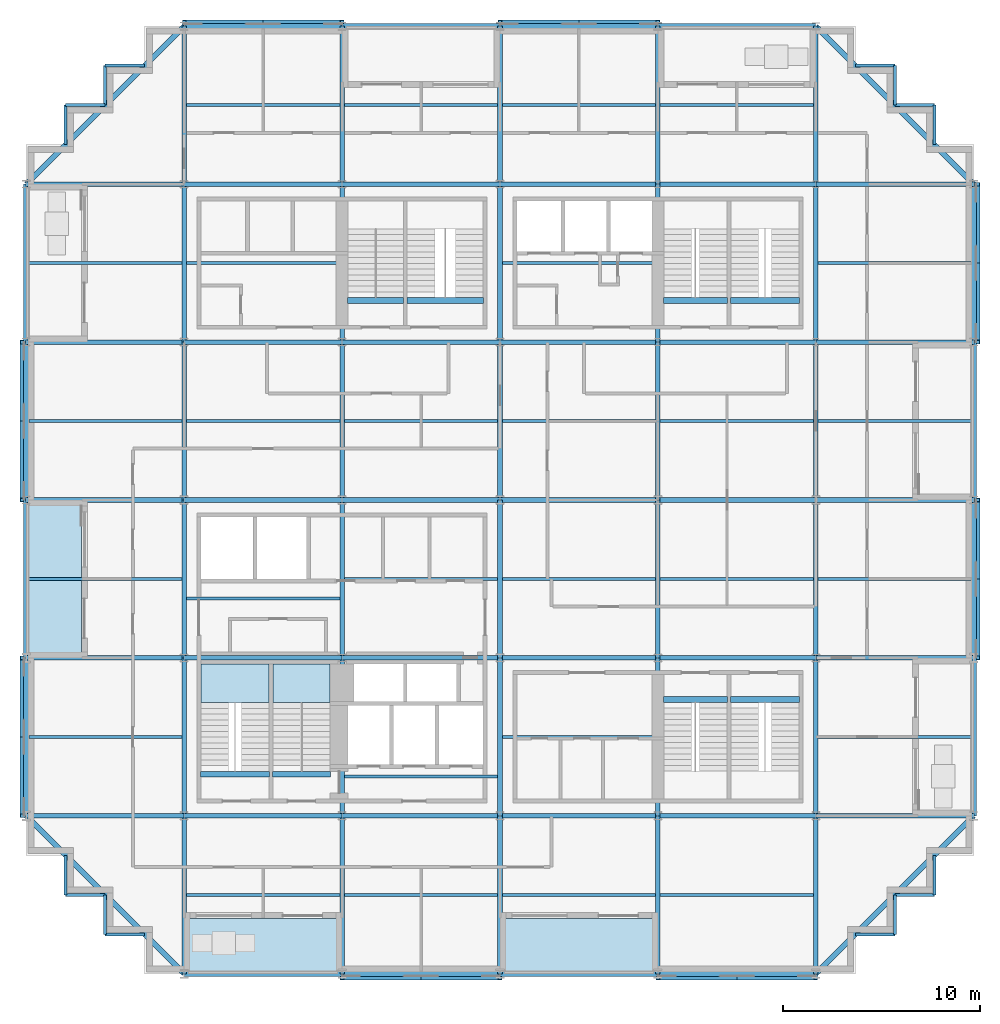
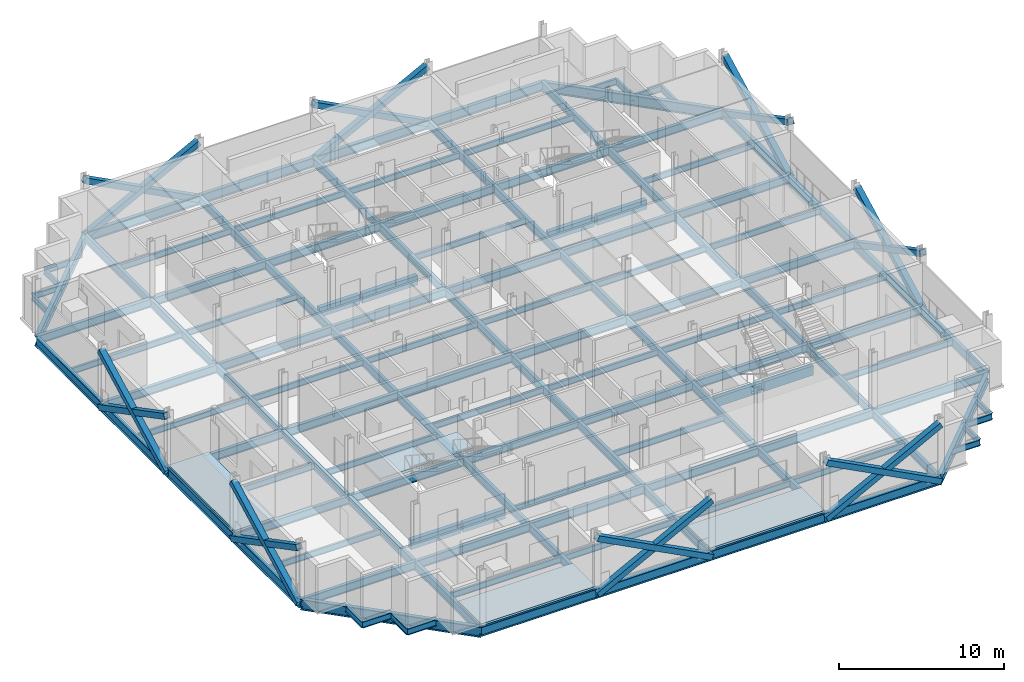
# One storey, part 4 of 15: 132 beams, 16 members, 5 slabs, 2 elements without a shape of their own.
"""IFC4 building model written with IfcOpenShell, lengths in metres."""

from ifc_helpers import new_model, si_unit, direction, frame, origin, origin_2d, place, context, subcontext, project, spatial, polyline, rectangle, hollow_rectangle, i_section, outline, extrude, material, layer, layer_set, material_profile, profile_set, type_object, element, aggregate, save


model = new_model("IFC4")

# Units and contexts
model_context = context("Model", 3, precision=1e-05, world=origin(), true_north=direction((0.0, 1.0)))
body_context = subcontext(model_context, "Body", "Model", "MODEL_VIEW")
ifc_project = project(units=[si_unit("LENGTHUNIT", "METRE"), si_unit("AREAUNIT", "SQUARE_METRE"), si_unit("VOLUMEUNIT", "CUBIC_METRE"), si_unit("PLANEANGLEUNIT", "RADIAN"), si_unit("MASSUNIT", "GRAM", prefix="KILO")], contexts=[model_context])

# Site, building, storey
site_placement = place(None, origin())
site = spatial("IfcSite", under=ifc_project, at=site_placement, CompositionType="ELEMENT")
building_placement = place(site_placement, origin())
building = spatial("IfcBuilding", under=site, at=building_placement, Name="Immortelle Media Tower", CompositionType="ELEMENT")
storey_placement = place(building_placement, frame((0.0, 0.0, 109.60009765625)))
storey = spatial("IfcBuildingStorey", under=building, at=storey_placement, Name="L21", CompositionType="ELEMENT", Elevation=109.60009765625)

# Members
ifc_material_1 = material(Name="Steel ASTM A500 Gr C", Category="steel")
ifc_material_profile_1 = material_profile(ifc_material_1, hollow_rectangle(XDim=0.406005859375, YDim=0.406005859375, WallThickness=0.014892578125, at=origin_2d()), Name="HSS16x16x5/8 brace")
ifc_profile_set_1 = profile_set([ifc_material_profile_1], Name="Steel ASTM A500 Gr C")
member_type = type_object("IfcMemberType", Name="HSS16x16x5/8 brace", PredefinedType="BRACE", material=ifc_profile_set_1)
for number, where, z_axis, x_axis, name in (
    (1, (-0.113037109375, 32.0, -0.49658203125), (0.0, -0.8861668953, 0.463366198244), (1.0, 0.0, 0.0), "Brace 1/D-E A"),
    (2, (-0.113037109375, 32.0, 3.6865234375), (0.0, -0.8861668953, -0.463366198244), (1.0, 0.0, 0.0), "Brace 1/D-E B"),
    (3, (-0.113037109375, 16.0, -0.49658203125), (0.0, -0.8861668953, 0.463366198244), (1.0, 0.0, 0.0), "Brace 1/B-C A"),
    (4, (-0.113037109375, 16.0, 3.6865234375), (0.0, -0.8861668953, -0.463366198244), (1.0, 0.0, 0.0), "Brace 1/B-C B"),
    (5, (16.0, -0.113037109375, -0.49658203125), (0.8861668953, 0.0, 0.463366198244), (0.0, 1.0, 0.0), "Brace A/3-4 A"),
    (6, (16.0, -0.113037109375, 3.6865234375), (0.8861668953, 0.0, -0.463366198244), (0.0, 1.0, 0.0), "Brace A/3-4 B"),
    (7, (32.0, -0.113037109375, -0.49658203125), (0.8861668953, 0.0, 0.463366198244), (0.0, 1.0, 0.0), "Brace A/5-6 A"),
    (8, (32.0, -0.113037109375, 3.6865234375), (0.8861668953, 0.0, -0.463366198244), (0.0, 1.0, 0.0), "Brace A/5-6 B"),
    (9, (48.113037109375, 16.0, -0.49658203125), (0.0, 0.8861668953, 0.463366198244), (-1.0, 0.0, 0.0), "Brace 7/C-D A"),
    (10, (48.113037109375, 16.0, 3.6865234375), (0.0, 0.8861668953, -0.463366198244), (-1.0, 0.0, 0.0), "Brace 7/C-D B"),
    (11, (48.113037109375, 32.0, -0.49658203125), (0.0, 0.8861668953, 0.463366198244), (-1.0, 0.0, 0.0), "Brace 7/E-F A"),
    (12, (48.113037109375, 32.0, 3.6865234375), (0.0, 0.8861668953, -0.463366198244), (-1.0, 0.0, 0.0), "Brace 7/E-F B"),
    (13, (32.0, 48.113037109375, -0.49658203125), (-0.8861668953, 0.0, 0.463366198244), (0.0, -1.0, 0.0), "Brace G/4-5 A"),
    (14, (32.0, 48.113037109375, 3.6865234375), (-0.8861668953, 0.0, -0.463366198244), (0.0, -1.0, 0.0), "Brace G/4-5 B"),
    (15, (16.0, 48.113037109375, -0.49658203125), (-0.8861668953, 0.0, 0.463366198244), (0.0, -1.0, 0.0), "Brace G/2-3 A"),
    (16, (16.0, 48.113037109375, 3.6865234375), (-0.8861668953, 0.0, -0.463366198244), (0.0, -1.0, 0.0), "Brace G/2-3 B"),
):
    element("IfcMember", number, at=place(storey_placement, frame(where, z_axis=z_axis, x_axis=x_axis)), inside=storey, type_object=member_type, Name=name, PredefinedType="BRACE", context=body_context, shape_type="SweptSolid", body=[
        extrude(hollow_rectangle(XDim=0.406005859375, YDim=0.406005859375, WallThickness=0.014892578125, at=origin_2d()), origin(), (0.0, 0.0, 1.0), 9.027587890625),
    ])

# Beams
ifc_material_2 = material(Name="Concrete C50/60", Category="concrete")
ifc_material_profile_2 = material_profile(ifc_material_2, rectangle(XDim=0.300048828125, YDim=0.699951171875, at=origin_2d()), Name="RC 300x700")
ifc_profile_set_2 = profile_set([ifc_material_profile_2], Name="Concrete C50/60")
beam_type_1 = type_object("IfcBeamType", Name="Stair trimmer beam 300 x 700", PredefinedType="BEAM", material=ifc_profile_set_2)
beam_1_placement = place(storey_placement, frame((8.830078125, 10.10498046875, -0.5), z_axis=(1.0, 0.0, 0.0), x_axis=(0.0, 1.0, 0.0)))
element("IfcBeam", 17, at=beam_1_placement, inside=storey, type_object=beam_type_1, Name="Stair trimmer beam SW1", PredefinedType="BEAM", context=body_context, shape_type="SweptSolid", body=[
    extrude(rectangle(XDim=0.300048828125, YDim=0.699951171875, at=origin_2d()), origin(), (0.0, 0.0, 1.0), 3.489990234375),
])
beam_2_placement = place(storey_placement, frame((12.47998046875, 10.10498046875, -0.5), z_axis=(1.0, 0.0, 0.0), x_axis=(0.0, 1.0, 0.0)))
element("IfcBeam", 18, at=beam_2_placement, inside=storey, type_object=beam_type_1, Name="Stair trimmer beam SW2", PredefinedType="BEAM", context=body_context, shape_type="SweptSolid", body=[
    extrude(rectangle(XDim=0.300048828125, YDim=0.699951171875, at=origin_2d()), origin(), (0.0, 0.0, 1.0), 2.93994140625),
])
beam_3_placement = place(storey_placement, frame((32.280029296875, 13.89501953125, -0.5), z_axis=(1.0, 0.0, 0.0), x_axis=(0.0, 1.0, 0.0)))
element("IfcBeam", 19, at=beam_3_placement, inside=storey, type_object=beam_type_1, Name="Stair trimmer beam SE1", PredefinedType="BEAM", context=body_context, shape_type="SweptSolid", body=[
    extrude(rectangle(XDim=0.300048828125, YDim=0.699951171875, at=origin_2d()), origin(), (0.0, 0.0, 1.0), 3.239990234375),
])
beam_4_placement = place(storey_placement, frame((35.679931640625, 13.89501953125, -0.5), z_axis=(1.0, 0.0, 0.0), x_axis=(0.0, 1.0, 0.0)))
element("IfcBeam", 20, at=beam_4_placement, inside=storey, type_object=beam_type_1, Name="Stair trimmer beam SE2", PredefinedType="BEAM", context=body_context, shape_type="SweptSolid", body=[
    extrude(rectangle(XDim=0.300048828125, YDim=0.699951171875, at=origin_2d()), origin(), (0.0, 0.0, 1.0), 3.489990234375),
])
beam_5_placement = place(storey_placement, frame((16.280029296875, 34.10498046875, -0.5), z_axis=(1.0, 0.0, 0.0), x_axis=(0.0, 1.0, 0.0)))
element("IfcBeam", 21, at=beam_5_placement, inside=storey, type_object=beam_type_1, Name="Stair trimmer beam NW1", PredefinedType="BEAM", context=body_context, shape_type="SweptSolid", body=[
    extrude(rectangle(XDim=0.300048828125, YDim=0.699951171875, at=origin_2d()), origin(), (0.0, 0.0, 1.0), 2.840087890625),
])
beam_6_placement = place(storey_placement, frame((19.280029296875, 34.10498046875, -0.5), z_axis=(1.0, 0.0, 0.0), x_axis=(0.0, 1.0, 0.0)))
element("IfcBeam", 22, at=beam_6_placement, inside=storey, type_object=beam_type_1, Name="Stair trimmer beam NW2", PredefinedType="BEAM", context=body_context, shape_type="SweptSolid", body=[
    extrude(rectangle(XDim=0.300048828125, YDim=0.699951171875, at=origin_2d()), origin(), (0.0, 0.0, 1.0), 3.889892578125),
])
beam_7_placement = place(storey_placement, frame((32.280029296875, 34.10498046875, -0.5), z_axis=(1.0, 0.0, 0.0), x_axis=(0.0, 1.0, 0.0)))
element("IfcBeam", 23, at=beam_7_placement, inside=storey, type_object=beam_type_1, Name="Stair trimmer beam NE1", PredefinedType="BEAM", context=body_context, shape_type="SweptSolid", body=[
    extrude(rectangle(XDim=0.300048828125, YDim=0.699951171875, at=origin_2d()), origin(), (0.0, 0.0, 1.0), 3.239990234375),
])
beam_8_placement = place(storey_placement, frame((35.679931640625, 34.10498046875, -0.5), z_axis=(1.0, 0.0, 0.0), x_axis=(0.0, 1.0, 0.0)))
element("IfcBeam", 24, at=beam_8_placement, inside=storey, type_object=beam_type_1, Name="Stair trimmer beam NE2", PredefinedType="BEAM", context=body_context, shape_type="SweptSolid", body=[
    extrude(rectangle(XDim=0.300048828125, YDim=0.699951171875, at=origin_2d()), origin(), (0.0, 0.0, 1.0), 3.489990234375),
])
ifc_material_3 = material(Name="Steel ASTM A992 Gr 50", Category="steel")
ifc_material_profile_3 = material_profile(ifc_material_3, i_section(OverallWidth=0.153076171875, OverallDepth=0.455078125, WebThickness=0.008056640625, FlangeThickness=0.012939453125, at=origin_2d()), Name="W18x40")
ifc_profile_set_3 = profile_set([ifc_material_profile_3], Name="Steel ASTM A992 Gr 50")
beam_type_2 = type_object("IfcBeamType", Name="W18x40 secondary beam", PredefinedType="JOIST", material=ifc_profile_set_3)
for number, where, z_axis, x_axis, name in (
    (25, (8.114501953125, 4.0, -0.377685546875), (1.0, 0.0, 0.0), (0.0, 1.0, 0.0), "Beam A-B/2-3"),
    (26, (16.114501953125, 4.0, -0.377685546875), (1.0, 0.0, 0.0), (0.0, 1.0, 0.0), "Beam A-B/3-4"),
    (27, (24.114501953125, 4.0, -0.377685546875), (1.0, 0.0, 0.0), (0.0, 1.0, 0.0), "Beam A-B/4-5"),
    (28, (32.114501953125, 4.0, -0.377685546875), (1.0, 0.0, 0.0), (0.0, 1.0, 0.0), "Beam A-B/5-6"),
):
    element("IfcBeam", number, at=place(storey_placement, frame(where, z_axis=z_axis, x_axis=x_axis)), inside=storey, type_object=beam_type_2, Name=name, PredefinedType="JOIST", context=body_context, shape_type="SweptSolid", body=[
        extrude(i_section(OverallWidth=0.153076171875, OverallDepth=0.455078125, WebThickness=0.008056640625, FlangeThickness=0.012939453125, at=origin_2d()), origin(), (0.0, 0.0, 1.0), 7.77099609375),
    ])
beam_9_placement = place(storey_placement, frame((0.12841796875, 12.0, -0.377685546875), z_axis=(1.0, 0.0, 0.0), x_axis=(0.0, 1.0, 0.0)))
element("IfcBeam", 29, at=beam_9_placement, inside=storey, type_object=beam_type_2, Name="Beam B-C/1-2", PredefinedType="JOIST", context=body_context, shape_type="SweptSolid", body=[
    extrude(i_section(OverallWidth=0.153076171875, OverallDepth=0.455078125, WebThickness=0.008056640625, FlangeThickness=0.012939453125, at=origin_2d()), origin(), (0.0, 0.0, 1.0), 7.757080078125),
])
for number, where, z_axis, x_axis, name in (
    (30, (16.114501953125, 10.0, -0.377685546875), (1.0, 0.0, 0.0), (0.0, 1.0, 0.0), "Beam B-C/3-4"),
    (31, (24.114501953125, 12.0, -0.377685546875), (1.0, 0.0, 0.0), (0.0, 1.0, 0.0), "Beam B-C/4-5"),
):
    element("IfcBeam", number, at=place(storey_placement, frame(where, z_axis=z_axis, x_axis=x_axis)), inside=storey, type_object=beam_type_2, Name=name, PredefinedType="JOIST", context=body_context, shape_type="SweptSolid", body=[
        extrude(i_section(OverallWidth=0.153076171875, OverallDepth=0.455078125, WebThickness=0.008056640625, FlangeThickness=0.012939453125, at=origin_2d()), origin(), (0.0, 0.0, 1.0), 7.77099609375),
    ])
for number, where, z_axis, x_axis, name in (
    (32, (40.114501953125, 12.0, -0.377685546875), (1.0, 0.0, 0.0), (0.0, 1.0, 0.0), "Beam B-C/6-7"),
    (33, (0.12841796875, 20.0, -0.377685546875), (1.0, 0.0, 0.0), (0.0, 1.0, 0.0), "Beam C-D/1-2"),
):
    element("IfcBeam", number, at=place(storey_placement, frame(where, z_axis=z_axis, x_axis=x_axis)), inside=storey, type_object=beam_type_2, Name=name, PredefinedType="JOIST", context=body_context, shape_type="SweptSolid", body=[
        extrude(i_section(OverallWidth=0.153076171875, OverallDepth=0.455078125, WebThickness=0.008056640625, FlangeThickness=0.012939453125, at=origin_2d()), origin(), (0.0, 0.0, 1.0), 7.757080078125),
    ])
for number, where, z_axis, x_axis, name in (
    (34, (8.114501953125, 19.0, -0.377685546875), (1.0, 0.0, 0.0), (0.0, 1.0, 0.0), "Beam C-D/2-3"),
    (35, (16.114501953125, 20.0, -0.377685546875), (1.0, 0.0, 0.0), (0.0, 1.0, 0.0), "Beam C-D/3-4"),
    (36, (24.114501953125, 20.0, -0.377685546875), (1.0, 0.0, 0.0), (0.0, 1.0, 0.0), "Beam C-D/4-5"),
    (37, (32.114501953125, 20.0, -0.377685546875), (1.0, 0.0, 0.0), (0.0, 1.0, 0.0), "Beam C-D/5-6"),
):
    element("IfcBeam", number, at=place(storey_placement, frame(where, z_axis=z_axis, x_axis=x_axis)), inside=storey, type_object=beam_type_2, Name=name, PredefinedType="JOIST", context=body_context, shape_type="SweptSolid", body=[
        extrude(i_section(OverallWidth=0.153076171875, OverallDepth=0.455078125, WebThickness=0.008056640625, FlangeThickness=0.012939453125, at=origin_2d()), origin(), (0.0, 0.0, 1.0), 7.77099609375),
    ])
for number, where, z_axis, x_axis, name in (
    (38, (40.114501953125, 20.0, -0.377685546875), (1.0, 0.0, 0.0), (0.0, 1.0, 0.0), "Beam C-D/6-7"),
    (39, (0.12841796875, 28.0, -0.377685546875), (1.0, 0.0, 0.0), (0.0, 1.0, 0.0), "Beam D-E/1-2"),
):
    element("IfcBeam", number, at=place(storey_placement, frame(where, z_axis=z_axis, x_axis=x_axis)), inside=storey, type_object=beam_type_2, Name=name, PredefinedType="JOIST", context=body_context, shape_type="SweptSolid", body=[
        extrude(i_section(OverallWidth=0.153076171875, OverallDepth=0.455078125, WebThickness=0.008056640625, FlangeThickness=0.012939453125, at=origin_2d()), origin(), (0.0, 0.0, 1.0), 7.757080078125),
    ])
for number, where, z_axis, x_axis, name in (
    (40, (8.114501953125, 28.0, -0.377685546875), (1.0, 0.0, 0.0), (0.0, 1.0, 0.0), "Beam D-E/2-3"),
    (41, (16.114501953125, 28.0, -0.377685546875), (1.0, 0.0, 0.0), (0.0, 1.0, 0.0), "Beam D-E/3-4"),
    (42, (24.114501953125, 28.0, -0.377685546875), (1.0, 0.0, 0.0), (0.0, 1.0, 0.0), "Beam D-E/4-5"),
    (43, (32.114501953125, 28.0, -0.377685546875), (1.0, 0.0, 0.0), (0.0, 1.0, 0.0), "Beam D-E/5-6"),
):
    element("IfcBeam", number, at=place(storey_placement, frame(where, z_axis=z_axis, x_axis=x_axis)), inside=storey, type_object=beam_type_2, Name=name, PredefinedType="JOIST", context=body_context, shape_type="SweptSolid", body=[
        extrude(i_section(OverallWidth=0.153076171875, OverallDepth=0.455078125, WebThickness=0.008056640625, FlangeThickness=0.012939453125, at=origin_2d()), origin(), (0.0, 0.0, 1.0), 7.77099609375),
    ])
for number, where, z_axis, x_axis, name in (
    (44, (40.114501953125, 28.0, -0.377685546875), (1.0, 0.0, 0.0), (0.0, 1.0, 0.0), "Beam D-E/6-7"),
    (45, (0.12841796875, 36.0, -0.377685546875), (1.0, 0.0, 0.0), (0.0, 1.0, 0.0), "Beam E-F/1-2"),
):
    element("IfcBeam", number, at=place(storey_placement, frame(where, z_axis=z_axis, x_axis=x_axis)), inside=storey, type_object=beam_type_2, Name=name, PredefinedType="JOIST", context=body_context, shape_type="SweptSolid", body=[
        extrude(i_section(OverallWidth=0.153076171875, OverallDepth=0.455078125, WebThickness=0.008056640625, FlangeThickness=0.012939453125, at=origin_2d()), origin(), (0.0, 0.0, 1.0), 7.757080078125),
    ])
for number, where, z_axis, x_axis, name in (
    (46, (8.114501953125, 36.0, -0.377685546875), (1.0, 0.0, 0.0), (0.0, 1.0, 0.0), "Beam E-F/2-3"),
    (47, (24.114501953125, 36.0, -0.377685546875), (1.0, 0.0, 0.0), (0.0, 1.0, 0.0), "Beam E-F/4-5"),
):
    element("IfcBeam", number, at=place(storey_placement, frame(where, z_axis=z_axis, x_axis=x_axis)), inside=storey, type_object=beam_type_2, Name=name, PredefinedType="JOIST", context=body_context, shape_type="SweptSolid", body=[
        extrude(i_section(OverallWidth=0.153076171875, OverallDepth=0.455078125, WebThickness=0.008056640625, FlangeThickness=0.012939453125, at=origin_2d()), origin(), (0.0, 0.0, 1.0), 7.77099609375),
    ])
beam_10_placement = place(storey_placement, frame((40.114501953125, 36.0, -0.377685546875), z_axis=(1.0, 0.0, 0.0), x_axis=(0.0, 1.0, 0.0)))
element("IfcBeam", 48, at=beam_10_placement, inside=storey, type_object=beam_type_2, Name="Beam E-F/6-7", PredefinedType="JOIST", context=body_context, shape_type="SweptSolid", body=[
    extrude(i_section(OverallWidth=0.153076171875, OverallDepth=0.455078125, WebThickness=0.008056640625, FlangeThickness=0.012939453125, at=origin_2d()), origin(), (0.0, 0.0, 1.0), 7.757080078125),
])
for number, where, z_axis, x_axis, name in (
    (49, (8.114501953125, 44.0, -0.377685546875), (1.0, 0.0, 0.0), (0.0, 1.0, 0.0), "Beam F-G/2-3"),
    (50, (16.114501953125, 44.0, -0.377685546875), (1.0, 0.0, 0.0), (0.0, 1.0, 0.0), "Beam F-G/3-4"),
    (51, (24.114501953125, 44.0, -0.377685546875), (1.0, 0.0, 0.0), (0.0, 1.0, 0.0), "Beam F-G/4-5"),
    (52, (32.114501953125, 44.0, -0.377685546875), (1.0, 0.0, 0.0), (0.0, 1.0, 0.0), "Beam F-G/5-6"),
):
    element("IfcBeam", number, at=place(storey_placement, frame(where, z_axis=z_axis, x_axis=x_axis)), inside=storey, type_object=beam_type_2, Name=name, PredefinedType="JOIST", context=body_context, shape_type="SweptSolid", body=[
        extrude(i_section(OverallWidth=0.153076171875, OverallDepth=0.455078125, WebThickness=0.008056640625, FlangeThickness=0.012939453125, at=origin_2d()), origin(), (0.0, 0.0, 1.0), 7.77099609375),
    ])
ifc_material_profile_4 = material_profile(ifc_material_3, i_section(OverallWidth=0.153076171875, OverallDepth=0.455078125, WebThickness=0.008056640625, FlangeThickness=0.012939453125, at=origin_2d()), Name="W18x40")
ifc_profile_set_4 = profile_set([ifc_material_profile_4], Name="Steel ASTM A992 Gr 50")
beam_type_3 = type_object("IfcBeamType", Name="W18x40 serration edge beam", PredefinedType="SPANDREL", material=ifc_profile_set_4)
for number, where, z_axis, x_axis, name in (
    (53, (6.0, 2.0, -0.377685546875), (-1.0, 0.0, 0.0), (0.0, -1.0, 0.0), "Corner edge beam 1 at 1/A"),
    (54, (4.0, 2.0, -0.377685546875), (0.0, 1.0, 0.0), (-1.0, 0.0, 0.0), "Corner edge beam 2 at 1/A"),
    (55, (4.0, 4.0, -0.377685546875), (-1.0, 0.0, 0.0), (0.0, -1.0, 0.0), "Corner edge beam 3 at 1/A"),
    (56, (2.0, 4.0, -0.377685546875), (0.0, 1.0, 0.0), (-1.0, 0.0, 0.0), "Corner edge beam 4 at 1/A"),
    (57, (2.0, 42.0, -0.377685546875), (0.0, 1.0, 0.0), (-1.0, 0.0, 0.0), "Corner edge beam 1 at 1/G"),
    (58, (2.0, 44.0, -0.377685546875), (1.0, 0.0, 0.0), (0.0, 1.0, 0.0), "Corner edge beam 2 at 1/G"),
    (59, (4.0, 44.0, -0.377685546875), (0.0, 1.0, 0.0), (-1.0, 0.0, 0.0), "Corner edge beam 3 at 1/G"),
    (60, (4.0, 46.0, -0.377685546875), (1.0, 0.0, 0.0), (0.0, 1.0, 0.0), "Corner edge beam 4 at 1/G"),
    (61, (46.0, 6.0, -0.377685546875), (0.0, -1.0, 0.0), (1.0, 0.0, 0.0), "Corner edge beam 1 at 7/A"),
    (62, (46.0, 4.0, -0.377685546875), (-1.0, 0.0, 0.0), (0.0, -1.0, 0.0), "Corner edge beam 2 at 7/A"),
    (63, (44.0, 4.0, -0.377685546875), (0.0, -1.0, 0.0), (1.0, 0.0, 0.0), "Corner edge beam 3 at 7/A"),
    (64, (44.0, 2.0, -0.377685546875), (-1.0, 0.0, 0.0), (0.0, -1.0, 0.0), "Corner edge beam 4 at 7/A"),
    (65, (42.0, 46.0, -0.377685546875), (1.0, 0.0, 0.0), (0.0, 1.0, 0.0), "Corner edge beam 1 at 7/G"),
    (66, (44.0, 46.0, -0.377685546875), (0.0, -1.0, 0.0), (1.0, 0.0, 0.0), "Corner edge beam 2 at 7/G"),
    (67, (44.0, 44.0, -0.377685546875), (1.0, 0.0, 0.0), (0.0, 1.0, 0.0), "Corner edge beam 3 at 7/G"),
    (68, (46.0, 44.0, -0.377685546875), (0.0, -1.0, 0.0), (1.0, 0.0, 0.0), "Corner edge beam 4 at 7/G"),
):
    element("IfcBeam", number, at=place(storey_placement, frame(where, z_axis=z_axis, x_axis=x_axis)), inside=storey, type_object=beam_type_3, Name=name, PredefinedType="SPANDREL", context=body_context, shape_type="SweptSolid", body=[
        extrude(i_section(OverallWidth=0.153076171875, OverallDepth=0.455078125, WebThickness=0.008056640625, FlangeThickness=0.012939453125, at=origin_2d()), origin(), (0.0, 0.0, 1.0), 2.0),
    ])
ifc_material_profile_5 = material_profile(ifc_material_3, i_section(OverallWidth=0.22900390625, OverallDepth=0.612060546875, WebThickness=0.011962890625, FlangeThickness=0.02001953125, at=origin_2d()), Name="W24x84")
ifc_profile_set_5 = profile_set([ifc_material_profile_5], Name="Steel ASTM A992 Gr 50")
beam_type_4 = type_object("IfcBeamType", Name="W24x84 girder", PredefinedType="BEAM", material=ifc_profile_set_5)
for number, where, z_axis, x_axis, name in (
    (69, (0.0, 8.0, -0.4560546875), (1.0, 0.0, 0.0), (0.0, 1.0, 0.0), "Girder B/1-2"),
    (70, (0.0, 16.0, -0.4560546875), (1.0, 0.0, 0.0), (0.0, 1.0, 0.0), "Girder C/1-2"),
    (71, (0.0, 24.0, -0.4560546875), (1.0, 0.0, 0.0), (0.0, 1.0, 0.0), "Girder D/1-2"),
    (72, (0.0, 32.0, -0.4560546875), (1.0, 0.0, 0.0), (0.0, 1.0, 0.0), "Girder E/1-2"),
    (73, (0.0, 40.0, -0.4560546875), (1.0, 0.0, 0.0), (0.0, 1.0, 0.0), "Girder F/1-2"),
    (74, (8.0, 0.0, -0.4560546875), (0.0, 1.0, 0.0), (-1.0, 0.0, 0.0), "Girder 2/A-B"),
    (75, (8.0, 8.0, -0.4560546875), (1.0, 0.0, 0.0), (0.0, 1.0, 0.0), "Girder B/2-3"),
    (76, (8.0, 8.0, -0.4560546875), (0.0, 1.0, 0.0), (-1.0, 0.0, 0.0), "Girder 2/B-C"),
    (77, (8.0, 16.0, -0.4560546875), (1.0, 0.0, 0.0), (0.0, 1.0, 0.0), "Girder C/2-3"),
    (78, (8.0, 16.0, -0.4560546875), (0.0, 1.0, 0.0), (-1.0, 0.0, 0.0), "Girder 2/C-D"),
    (79, (8.0, 24.0, -0.4560546875), (1.0, 0.0, 0.0), (0.0, 1.0, 0.0), "Girder D/2-3"),
    (80, (8.0, 24.0, -0.4560546875), (0.0, 1.0, 0.0), (-1.0, 0.0, 0.0), "Girder 2/D-E"),
    (81, (8.0, 32.0, -0.4560546875), (1.0, 0.0, 0.0), (0.0, 1.0, 0.0), "Girder E/2-3"),
    (82, (8.0, 32.0, -0.4560546875), (0.0, 1.0, 0.0), (-1.0, 0.0, 0.0), "Girder 2/E-F"),
    (83, (8.0, 40.0, -0.4560546875), (1.0, 0.0, 0.0), (0.0, 1.0, 0.0), "Girder F/2-3"),
    (84, (8.0, 40.0, -0.4560546875), (0.0, 1.0, 0.0), (-1.0, 0.0, 0.0), "Girder 2/F-G"),
    (85, (16.0, 0.0, -0.4560546875), (0.0, 1.0, 0.0), (-1.0, 0.0, 0.0), "Girder 3/A-B"),
    (86, (16.0, 8.0, -0.4560546875), (1.0, 0.0, 0.0), (0.0, 1.0, 0.0), "Girder B/3-4"),
    (87, (16.0, 8.0, -0.4560546875), (0.0, 1.0, 0.0), (-1.0, 0.0, 0.0), "Girder 3/B-C"),
    (88, (16.0, 16.0, -0.4560546875), (1.0, 0.0, 0.0), (0.0, 1.0, 0.0), "Girder C/3-4"),
    (89, (16.0, 16.0, -0.4560546875), (0.0, 1.0, 0.0), (-1.0, 0.0, 0.0), "Girder 3/C-D"),
    (90, (16.0, 24.0, -0.4560546875), (1.0, 0.0, 0.0), (0.0, 1.0, 0.0), "Girder D/3-4"),
    (91, (16.0, 24.0, -0.4560546875), (0.0, 1.0, 0.0), (-1.0, 0.0, 0.0), "Girder 3/D-E"),
    (92, (16.0, 32.0, -0.4560546875), (1.0, 0.0, 0.0), (0.0, 1.0, 0.0), "Girder E/3-4"),
    (93, (16.0, 32.0, -0.4560546875), (0.0, 1.0, 0.0), (-1.0, 0.0, 0.0), "Girder 3/E-F"),
    (94, (16.0, 40.0, -0.4560546875), (1.0, 0.0, 0.0), (0.0, 1.0, 0.0), "Girder F/3-4"),
    (95, (16.0, 40.0, -0.4560546875), (0.0, 1.0, 0.0), (-1.0, 0.0, 0.0), "Girder 3/F-G"),
    (96, (24.0, 0.0, -0.4560546875), (0.0, 1.0, 0.0), (-1.0, 0.0, 0.0), "Girder 4/A-B"),
    (97, (24.0, 8.0, -0.4560546875), (1.0, 0.0, 0.0), (0.0, 1.0, 0.0), "Girder B/4-5"),
    (98, (24.0, 8.0, -0.4560546875), (0.0, 1.0, 0.0), (-1.0, 0.0, 0.0), "Girder 4/B-C"),
    (99, (24.0, 16.0, -0.4560546875), (1.0, 0.0, 0.0), (0.0, 1.0, 0.0), "Girder C/4-5"),
    (100, (24.0, 16.0, -0.4560546875), (0.0, 1.0, 0.0), (-1.0, 0.0, 0.0), "Girder 4/C-D"),
    (101, (24.0, 24.0, -0.4560546875), (1.0, 0.0, 0.0), (0.0, 1.0, 0.0), "Girder D/4-5"),
    (102, (24.0, 24.0, -0.4560546875), (0.0, 1.0, 0.0), (-1.0, 0.0, 0.0), "Girder 4/D-E"),
    (103, (24.0, 32.0, -0.4560546875), (1.0, 0.0, 0.0), (0.0, 1.0, 0.0), "Girder E/4-5"),
    (104, (24.0, 32.0, -0.4560546875), (0.0, 1.0, 0.0), (-1.0, 0.0, 0.0), "Girder 4/E-F"),
    (105, (24.0, 40.0, -0.4560546875), (1.0, 0.0, 0.0), (0.0, 1.0, 0.0), "Girder F/4-5"),
    (106, (24.0, 40.0, -0.4560546875), (0.0, 1.0, 0.0), (-1.0, 0.0, 0.0), "Girder 4/F-G"),
    (107, (32.0, 0.0, -0.4560546875), (0.0, 1.0, 0.0), (-1.0, 0.0, 0.0), "Girder 5/A-B"),
    (108, (32.0, 8.0, -0.4560546875), (1.0, 0.0, 0.0), (0.0, 1.0, 0.0), "Girder B/5-6"),
    (109, (32.0, 8.0, -0.4560546875), (0.0, 1.0, 0.0), (-1.0, 0.0, 0.0), "Girder 5/B-C"),
    (110, (32.0, 16.0, -0.4560546875), (1.0, 0.0, 0.0), (0.0, 1.0, 0.0), "Girder C/5-6"),
    (111, (32.0, 16.0, -0.4560546875), (0.0, 1.0, 0.0), (-1.0, 0.0, 0.0), "Girder 5/C-D"),
    (112, (32.0, 24.0, -0.4560546875), (1.0, 0.0, 0.0), (0.0, 1.0, 0.0), "Girder D/5-6"),
    (113, (32.0, 24.0, -0.4560546875), (0.0, 1.0, 0.0), (-1.0, 0.0, 0.0), "Girder 5/D-E"),
    (114, (32.0, 32.0, -0.4560546875), (1.0, 0.0, 0.0), (0.0, 1.0, 0.0), "Girder E/5-6"),
    (115, (32.0, 32.0, -0.4560546875), (0.0, 1.0, 0.0), (-1.0, 0.0, 0.0), "Girder 5/E-F"),
    (116, (32.0, 40.0, -0.4560546875), (1.0, 0.0, 0.0), (0.0, 1.0, 0.0), "Girder F/5-6"),
    (117, (32.0, 40.0, -0.4560546875), (0.0, 1.0, 0.0), (-1.0, 0.0, 0.0), "Girder 5/F-G"),
    (118, (40.0, 0.0, -0.4560546875), (0.0, 1.0, 0.0), (-1.0, 0.0, 0.0), "Girder 6/A-B"),
    (119, (40.0, 8.0, -0.4560546875), (1.0, 0.0, 0.0), (0.0, 1.0, 0.0), "Girder B/6-7"),
    (120, (40.0, 8.0, -0.4560546875), (0.0, 1.0, 0.0), (-1.0, 0.0, 0.0), "Girder 6/B-C"),
    (121, (40.0, 16.0, -0.4560546875), (1.0, 0.0, 0.0), (0.0, 1.0, 0.0), "Girder C/6-7"),
    (122, (40.0, 16.0, -0.4560546875), (0.0, 1.0, 0.0), (-1.0, 0.0, 0.0), "Girder 6/C-D"),
    (123, (40.0, 24.0, -0.4560546875), (1.0, 0.0, 0.0), (0.0, 1.0, 0.0), "Girder D/6-7"),
    (124, (40.0, 24.0, -0.4560546875), (0.0, 1.0, 0.0), (-1.0, 0.0, 0.0), "Girder 6/D-E"),
    (125, (40.0, 32.0, -0.4560546875), (1.0, 0.0, 0.0), (0.0, 1.0, 0.0), "Girder E/6-7"),
    (126, (40.0, 32.0, -0.4560546875), (0.0, 1.0, 0.0), (-1.0, 0.0, 0.0), "Girder 6/E-F"),
    (127, (40.0, 40.0, -0.4560546875), (1.0, 0.0, 0.0), (0.0, 1.0, 0.0), "Girder F/6-7"),
    (128, (40.0, 40.0, -0.4560546875), (0.0, 1.0, 0.0), (-1.0, 0.0, 0.0), "Girder 6/F-G"),
):
    element("IfcBeam", number, at=place(storey_placement, frame(where, z_axis=z_axis, x_axis=x_axis)), inside=storey, type_object=beam_type_4, Name=name, PredefinedType="BEAM", context=body_context, shape_type="SweptSolid", body=[
        extrude(i_section(OverallWidth=0.22900390625, OverallDepth=0.612060546875, WebThickness=0.011962890625, FlangeThickness=0.02001953125, at=origin_2d()), origin(), (0.0, 0.0, 1.0), 8.0),
    ])
ifc_material_profile_6 = material_profile(ifc_material_3, i_section(OverallWidth=0.257080078125, OverallDepth=0.693115234375, WebThickness=0.013916015625, FlangeThickness=0.02392578125, at=origin_2d()), Name="W27x114")
ifc_profile_set_6 = profile_set([ifc_material_profile_6], Name="Steel ASTM A992 Gr 50")
beam_type_5 = type_object("IfcBeamType", Name="W27x114 perimeter girder", PredefinedType="SPANDREL", material=ifc_profile_set_6)
for number, where, z_axis, x_axis, name in (
    (129, (0.0, 8.0, -0.49658203125), (0.0, 1.0, 0.0), (-1.0, 0.0, 0.0), "Girder 1/B-C"),
    (130, (0.0, 16.0, -0.49658203125), (0.0, 1.0, 0.0), (-1.0, 0.0, 0.0), "Girder 1/C-D"),
    (131, (0.0, 24.0, -0.49658203125), (0.0, 1.0, 0.0), (-1.0, 0.0, 0.0), "Girder 1/D-E"),
    (132, (0.0, 32.0, -0.49658203125), (0.0, 1.0, 0.0), (-1.0, 0.0, 0.0), "Girder 1/E-F"),
    (133, (8.0, 0.0, -0.49658203125), (1.0, 0.0, 0.0), (0.0, 1.0, 0.0), "Girder A/2-3"),
    (134, (8.0, 48.0, -0.49658203125), (1.0, 0.0, 0.0), (0.0, 1.0, 0.0), "Girder G/2-3"),
    (135, (16.0, 0.0, -0.49658203125), (1.0, 0.0, 0.0), (0.0, 1.0, 0.0), "Girder A/3-4"),
    (136, (16.0, 48.0, -0.49658203125), (1.0, 0.0, 0.0), (0.0, 1.0, 0.0), "Girder G/3-4"),
    (137, (24.0, 0.0, -0.49658203125), (1.0, 0.0, 0.0), (0.0, 1.0, 0.0), "Girder A/4-5"),
    (138, (24.0, 48.0, -0.49658203125), (1.0, 0.0, 0.0), (0.0, 1.0, 0.0), "Girder G/4-5"),
    (139, (32.0, 0.0, -0.49658203125), (1.0, 0.0, 0.0), (0.0, 1.0, 0.0), "Girder A/5-6"),
    (140, (32.0, 48.0, -0.49658203125), (1.0, 0.0, 0.0), (0.0, 1.0, 0.0), "Girder G/5-6"),
    (141, (48.0, 8.0, -0.49658203125), (0.0, 1.0, 0.0), (-1.0, 0.0, 0.0), "Girder 7/B-C"),
    (142, (48.0, 16.0, -0.49658203125), (0.0, 1.0, 0.0), (-1.0, 0.0, 0.0), "Girder 7/C-D"),
    (143, (48.0, 24.0, -0.49658203125), (0.0, 1.0, 0.0), (-1.0, 0.0, 0.0), "Girder 7/D-E"),
    (144, (48.0, 32.0, -0.49658203125), (0.0, 1.0, 0.0), (-1.0, 0.0, 0.0), "Girder 7/E-F"),
):
    element("IfcBeam", number, at=place(storey_placement, frame(where, z_axis=z_axis, x_axis=x_axis)), inside=storey, type_object=beam_type_5, Name=name, PredefinedType="SPANDREL", context=body_context, shape_type="SweptSolid", body=[
        extrude(i_section(OverallWidth=0.257080078125, OverallDepth=0.693115234375, WebThickness=0.013916015625, FlangeThickness=0.02392578125, at=origin_2d()), origin(), (0.0, 0.0, 1.0), 8.0),
    ])
ifc_material_profile_7 = material_profile(ifc_material_3, i_section(OverallWidth=0.26708984375, OverallDepth=0.780029296875, WebThickness=0.01708984375, FlangeThickness=0.030029296875, at=origin_2d()), Name="W30x148")
ifc_profile_set_7 = profile_set([ifc_material_profile_7], Name="Steel ASTM A992 Gr 50")
beam_type_6 = type_object("IfcBeamType", Name="W30x148 corner girder", PredefinedType="SPANDREL", material=ifc_profile_set_7)
for number, where, z_axis, x_axis, name in (
    (145, (8.0, 0.0, -0.5400390625), (-0.707106781187, 0.707106781187, 0.0), (-0.707106781187, -0.707106781187, 0.0), "Corner girder at 1/A"),
    (146, (0.0, 40.0, -0.5400390625), (0.707106781187, 0.707106781187, 0.0), (-0.707106781187, 0.707106781187, 0.0), "Corner girder at 1/G"),
    (147, (48.0, 8.0, -0.5400390625), (-0.707106781187, -0.707106781187, 0.0), (0.707106781187, -0.707106781187, 0.0), "Corner girder at 7/A"),
    (148, (40.0, 48.0, -0.5400390625), (0.707106781187, -0.707106781187, 0.0), (0.707106781187, 0.707106781187, 0.0), "Corner girder at 7/G"),
):
    element("IfcBeam", number, at=place(storey_placement, frame(where, z_axis=z_axis, x_axis=x_axis)), inside=storey, type_object=beam_type_6, Name=name, PredefinedType="SPANDREL", context=body_context, shape_type="SweptSolid", body=[
        extrude(i_section(OverallWidth=0.26708984375, OverallDepth=0.780029296875, WebThickness=0.01708984375, FlangeThickness=0.030029296875, at=origin_2d()), origin(), (0.0, 0.0, 1.0), 11.313720703125),
    ])

# Slabs
ifc_material_4 = material(Name="Concrete C50/60 composite deck", Category="concrete")
ifc_layer_1 = layer(ifc_material_4, 0.14990234375)
ifc_layer_set_1 = layer_set([ifc_layer_1], Name="Concrete C50/60 composite deck")
slab_type_1 = type_object("IfcSlabType", Name="Balcony slab 150", PredefinedType="FLOOR", material=ifc_layer_set_1)
slab_1_placement = place(storey_placement, frame((0.0, 0.0, -0.150146484375)))
element("IfcSlab", 149, at=slab_1_placement, inside=storey, type_object=slab_type_1, Name="Balcony slab L21 W2", PredefinedType="FLOOR", context=body_context, shape_type="SweptSolid", body=[
    extrude(outline(polyline([(2.800048828125, 16.0), (2.800048828125, 24.0), (0.0, 24.0), (0.0, 16.0), (2.800048828125, 16.0)])), origin(), (0.0, 0.0, 1.0), 0.150146484375),
])
slab_2_placement = place(storey_placement, frame((0.0, 0.0, -0.150146484375)))
element("IfcSlab", 150, at=slab_2_placement, inside=storey, type_object=slab_type_1, Name="Balcony slab L21 S0", PredefinedType="FLOOR", context=body_context, shape_type="SweptSolid", body=[
    extrude(outline(polyline([(16.0, 0.0), (16.0, 2.800048828125), (8.0, 2.800048828125), (8.0, 0.0), (16.0, 0.0)])), origin(), (0.0, 0.0, 1.0), 0.150146484375),
])
slab_3_placement = place(storey_placement, frame((0.0, 0.0, -0.150146484375)))
element("IfcSlab", 151, at=slab_3_placement, inside=storey, type_object=slab_type_1, Name="Balcony slab L21 S2", PredefinedType="FLOOR", context=body_context, shape_type="SweptSolid", body=[
    extrude(outline(polyline([(32.0, 0.0), (32.0, 2.800048828125), (24.0, 2.800048828125), (24.0, 0.0), (32.0, 0.0)])), origin(), (0.0, 0.0, 1.0), 0.150146484375),
])

# Stair, slab
stair_type = type_object("IfcStairType", Name="Stair with flights", PredefinedType="DOUBLE_RETURN_STAIR", material=ifc_material_3)
stair_1_placement = place(storey_placement, origin())
stair_1 = element("IfcStair", 152, at=stair_1_placement, inside=storey, type_object=stair_type, Name="Exit stair SW1", PredefinedType="DOUBLE_RETURN_STAIR")
ifc_material_5 = material(Name="Steel ASTM A572 Gr 50", Category="steel")
ifc_layer_2 = layer(ifc_material_5, 0.199951171875)
ifc_layer_set_2 = layer_set([ifc_layer_2], Name="Steel ASTM A572 Gr 50")
slab_type_2 = type_object("IfcSlabType", Name="Stair landing 200", PredefinedType="LANDING", material=ifc_layer_set_2)
slab_4_placement = place(storey_placement, frame((0.0, 0.0, 1.911865234375)))
slab_4 = element("IfcSlab", 153, at=slab_4_placement, type_object=slab_type_2, Name="ST SW1 landing 1", PredefinedType="LANDING", context=body_context, shape_type="SweptSolid", body=[
    extrude(outline(polyline([(8.85009765625, 13.72998046875), (12.300048828125, 13.72998046875), (12.300048828125, 15.699951171875), (8.85009765625, 15.699951171875), (8.85009765625, 13.72998046875)])), origin(), (0.0, 0.0, 1.0), 0.199951171875),
])
aggregate(stair_1, [slab_4])

stair_2_placement = place(storey_placement, origin())
stair_2 = element("IfcStair", 154, at=stair_2_placement, inside=storey, type_object=stair_type, Name="Exit stair SW2", PredefinedType="DOUBLE_RETURN_STAIR")
slab_5_placement = place(storey_placement, frame((0.0, 0.0, 1.911865234375)))
slab_5 = element("IfcSlab", 155, at=slab_5_placement, type_object=slab_type_2, Name="ST SW2 landing 1", PredefinedType="LANDING", context=body_context, shape_type="SweptSolid", body=[
    extrude(outline(polyline([(12.5, 13.72998046875), (15.39990234375, 13.72998046875), (15.39990234375, 15.699951171875), (12.5, 15.699951171875), (12.5, 13.72998046875)])), origin(), (0.0, 0.0, 1.0), 0.199951171875),
])
aggregate(stair_2, [slab_5])

save(model, "model.ifc")
